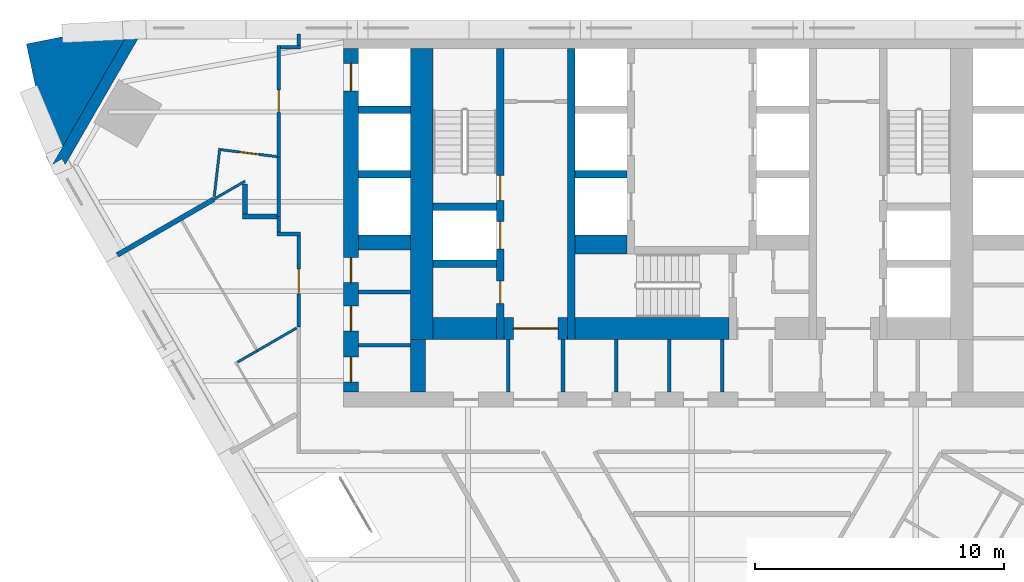
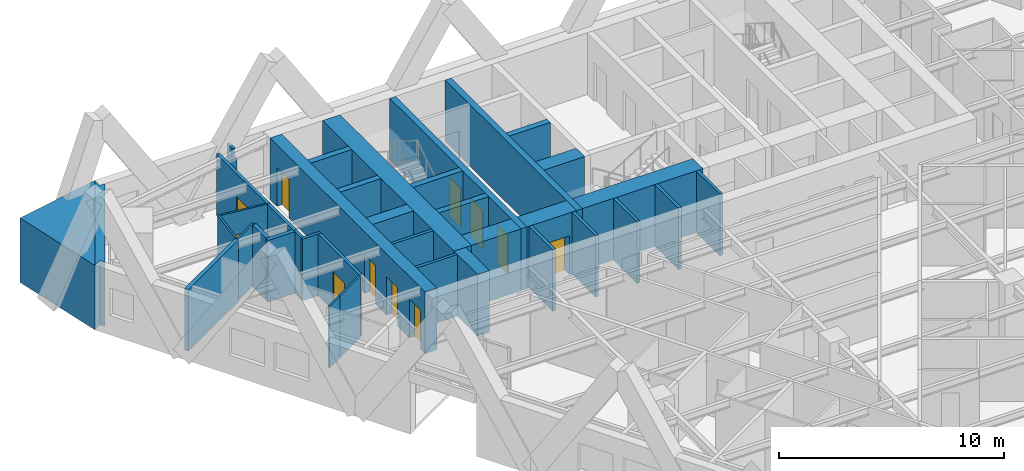
# One storey, part 7 of 12: 39 walls, 11 doors, 11 openings.
"""IFC4 building model written with IfcOpenShell, lengths in metres."""

from ifc_helpers import new_model, si_unit, direction, frame, frame_2d, origin, place, context, subcontext, project, spatial, polyline, rectangle, outline, extrude, material, layer, layer_set, type_object, element, fill, save


model = new_model("IFC4")

# Units and contexts
model_context = context("Model", 3, precision=1e-05, world=origin(), true_north=direction((0.0, 1.0)))
body_context = subcontext(model_context, "Body", "Model", "MODEL_VIEW")
ifc_project = project(units=[si_unit("LENGTHUNIT", "METRE"), si_unit("AREAUNIT", "SQUARE_METRE"), si_unit("VOLUMEUNIT", "CUBIC_METRE"), si_unit("PLANEANGLEUNIT", "RADIAN"), si_unit("MASSUNIT", "GRAM", prefix="KILO")], contexts=[model_context])

# Site, building, storey
site_placement = place(None, origin())
site = spatial("IfcSite", under=ifc_project, at=site_placement, CompositionType="ELEMENT")
building_placement = place(site_placement, origin())
building = spatial("IfcBuilding", under=site, at=building_placement, Name="Aloe Facet Convention Tower", CompositionType="ELEMENT")
storey_placement = place(building_placement, frame((0.0, 0.0, 56.0)))
storey = spatial("IfcBuildingStorey", under=building, at=storey_placement, Name="L12", CompositionType="ELEMENT", Elevation=56.0)

# Walls
ifc_material_1 = material(Name="Concrete blockwork partition", Category="masonry")
ifc_layer_1 = layer(ifc_material_1, 0.14990234375)
ifc_layer_set_1 = layer_set([ifc_layer_1], Name="CR-W-PART150")
wall_type_1 = type_object("IfcWallType", Name="CR-W-PART150", PredefinedType="PARTITIONING", material=ifc_layer_set_1)
for number, where, z_axis, x_axis, name in (
    (1, (66.60009765625, 124.16455078125, 0.0), (0.0, 0.0, 1.0), (1.0, 0.0, 0.0), "Core partition L12-007"),
    (2, (66.60009765625, 122.02490234375, 0.0), (0.0, 0.0, 1.0), (1.0, 0.0, 0.0), "Core partition L12-008"),
):
    element("IfcWall", number, at=place(storey_placement, frame(where, z_axis=z_axis, x_axis=x_axis)), inside=storey, type_object=wall_type_1, Name=name, PredefinedType="PARTITIONING", context=body_context, shape_type="SweptSolid", body=[
        extrude(rectangle(XDim=2.099853515625, YDim=0.14990234375, at=frame_2d((1.0498046875, 0.0))), origin(), (0.0, 0.0, 1.0), 3.35009765625),
    ])
for number, where, z_axis, x_axis, name in (
    (3, (72.625, 122.25, 0.0), (0.0, 0.0, 1.0), (0.0, -1.0, 0.0), "Core partition L12-017"),
    (4, (74.824951171875, 122.25, 0.0), (0.0, 0.0, 1.0), (0.0, -1.0, 0.0), "Core partition L12-018"),
    (5, (76.958251953125, 122.25, 0.0), (0.0, 0.0, 1.0), (0.0, -1.0, 0.0), "Core partition L12-024"),
    (6, (79.091552734375, 122.25, 0.0), (0.0, 0.0, 1.0), (0.0, -1.0, 0.0), "Core partition L12-027"),
    (7, (81.22509765625, 122.25, 0.0), (0.0, 0.0, 1.0), (0.0, -1.0, 0.0), "Core partition L12-028"),
):
    element("IfcWall", number, at=place(storey_placement, frame(where, z_axis=z_axis, x_axis=x_axis)), inside=storey, type_object=wall_type_1, Name=name, PredefinedType="PARTITIONING", context=body_context, shape_type="SweptSolid", body=[
        extrude(rectangle(XDim=2.10009765625, YDim=0.14990234375, at=frame_2d((1.050048828125, 0.0))), origin(), (0.0, 0.0, 1.0), 3.35009765625),
    ])
ifc_material_2 = material(Name="Concrete C80/95", Category="concrete")
ifc_layer_2 = layer(ifc_material_2, 0.300048828125)
ifc_layer_set_2 = layer_set([ifc_layer_2], Name="CR-W-RC300-C8095")
wall_type_2 = type_object("IfcWallType", Name="CR-W-RC300-C8095", PredefinedType="SOLIDWALL", material=ifc_layer_set_2)
for number, where, z_axis, x_axis, name in (
    (8, (66.60009765625, 131.5, 0.0), (0.0, 0.0, 1.0), (1.0, 0.0, 0.0), "Core wall L12-004"),
    (9, (66.60009765625, 128.89990234375, 0.0), (0.0, 0.0, 1.0), (1.0, 0.0, 0.0), "Core wall L12-005"),
):
    element("IfcWall", number, at=place(storey_placement, frame(where, z_axis=z_axis, x_axis=x_axis)), inside=storey, type_object=wall_type_2, Name=name, PredefinedType="SOLIDWALL", context=body_context, shape_type="SweptSolid", body=[
        extrude(rectangle(XDim=2.099853515625, YDim=0.300048828125, at=frame_2d((1.0498046875, 0.0))), origin(), (0.0, 0.0, 1.0), 3.35009765625),
    ])
for number, where, z_axis, x_axis, name in (
    (10, (69.60009765625, 127.60009765625, 0.0), (0.0, 0.0, 1.0), (1.0, 0.0, 0.0), "Core wall L12-011"),
    (11, (69.60009765625, 125.300048828125, 0.0), (0.0, 0.0, 1.0), (1.0, 0.0, 0.0), "Core wall L12-012"),
):
    element("IfcWall", number, at=place(storey_placement, frame(where, z_axis=z_axis, x_axis=x_axis)), inside=storey, type_object=wall_type_2, Name=name, PredefinedType="SOLIDWALL", context=body_context, shape_type="SweptSolid", body=[
        extrude(rectangle(XDim=2.5498046875, YDim=0.300048828125, at=frame_2d((1.27490234375, 0.0))), origin(), (0.0, 0.0, 1.0), 3.35009765625),
    ])

# Wall, openings, doors
wall_1_placement = place(storey_placement, frame((72.300048828125, 133.949951171875, 0.0), z_axis=(0.0, 0.0, 1.0), x_axis=(0.0, -1.0, 0.0)))
wall_1 = element("IfcWall", 12, at=wall_1_placement, inside=storey, type_object=wall_type_2, Name="Core wall L12-014", PredefinedType="SOLIDWALL", context=body_context, shape_type="SweptSolid", body=[
    extrude(rectangle(XDim=11.699951171875, YDim=0.300048828125, at=frame_2d((5.85009765625, 0.0))), origin(), (0.0, 0.0, 1.0), 3.35009765625),
])
opening_1_placement = place(wall_1_placement, frame((6.949951171875, 0.0, 0.0)))
opening_1 = element("IfcOpeningElement", 13, at=opening_1_placement, cuts=wall_1, Name="Opening LD-FF1-L12", PredefinedType="OPENING", context=body_context, shape_type="SweptSolid", body=[
    extrude(rectangle(XDim=1.10009765625, YDim=2.10009765625, at=frame_2d((0.550048828125, 1.050048828125))), frame((0.0, 0.16015625, 0.0), z_axis=(0.0, -1.0, 0.0), x_axis=(1.0, 0.0, 0.0)), (0.0, 0.0, 1.0), 0.320068359375),
])
opening_2_placement = place(wall_1_placement, frame((9.35009765625, 0.0, 0.0)))
opening_2 = element("IfcOpeningElement", 14, at=opening_2_placement, cuts=wall_1, Name="Opening L12-CD23", PredefinedType="OPENING", context=body_context, shape_type="SweptSolid", body=[
    extrude(rectangle(XDim=0.89990234375, YDim=2.10009765625, at=frame_2d((0.449951171875, 1.050048828125))), frame((0.0, 0.16015625, 0.0), z_axis=(0.0, -1.0, 0.0), x_axis=(1.0, 0.0, 0.0)), (0.0, 0.0, 1.0), 0.320068359375),
])
opening_3_placement = place(wall_1_placement, frame((5.10009765625, 0.0, 0.0)))
opening_3 = element("IfcOpeningElement", 15, at=opening_3_placement, cuts=wall_1, Name="Opening L12-CD31", PredefinedType="OPENING", context=body_context, shape_type="SweptSolid", body=[
    extrude(rectangle(XDim=1.0, YDim=2.10009765625, at=frame_2d((0.5, 1.050048828125))), frame((0.0, 0.16015625, 0.0), z_axis=(0.0, -1.0, 0.0), x_axis=(1.0, 0.0, 0.0)), (0.0, 0.0, 1.0), 0.320068359375),
])
ifc_material_3 = material(Name="Steel fire-resisting door set FD60", Category="steel")
door_type_1 = type_object("IfcDoorType", Name="CR-D-ROOM-900-FD60-SLEFT", OperationType="SINGLE_SWING_LEFT", PredefinedType="DOOR", material=ifc_material_3)
door_1_placement = place(opening_2_placement, origin())
door_1 = element("IfcDoor", 16, at=door_1_placement, inside=storey, type_object=door_type_1, Name="Core door L12-CD23", OperationType="SINGLE_SWING_LEFT", OverallHeight=2.10009765625, OverallWidth=0.89990234375, PredefinedType="DOOR", context=body_context, shape_type="SweptSolid", body=[
    extrude(rectangle(XDim=0.89990234375, YDim=2.10009765625, at=frame_2d((0.449951171875, 1.050048828125))), frame((0.0, 0.02490234375, 0.0), z_axis=(0.0, -1.0, 0.0), x_axis=(1.0, 0.0, 0.0)), (0.0, 0.0, 1.0), 0.050048828125),
])
fill(opening_2, door_1)
ifc_material_4 = material(Name="Steel fire-resisting door set FD120", Category="steel")
door_type_2 = type_object("IfcDoorType", Name="CR-D-STAIR-1000-FD120-SRIGHT", OperationType="SINGLE_SWING_RIGHT", PredefinedType="DOOR", material=ifc_material_4)
door_2_placement = place(opening_3_placement, origin())
door_2 = element("IfcDoor", 17, at=door_2_placement, inside=storey, type_object=door_type_2, Name="Core door L12-CD31", OperationType="SINGLE_SWING_RIGHT", OverallHeight=2.10009765625, OverallWidth=1.0, PredefinedType="DOOR", context=body_context, shape_type="SweptSolid", body=[
    extrude(rectangle(XDim=1.0, YDim=2.10009765625, at=frame_2d((0.5, 1.050048828125))), frame((0.0, 0.02490234375, 0.0), z_axis=(0.0, -1.0, 0.0), x_axis=(1.0, 0.0, 0.0)), (0.0, 0.0, 1.0), 0.050048828125),
])
fill(opening_3, door_2)
ifc_material_5 = material(Name="Stainless steel sliding landing door", Category="steel")
door_type_3 = type_object("IfcDoorType", Name="CR-LD-1100-FD120-_LEFT", OperationType="SLIDING_TO_LEFT", PredefinedType="DOOR", material=ifc_material_5)
door_3_placement = place(opening_1_placement, origin())
door_3 = element("IfcDoor", 18, at=door_3_placement, inside=storey, type_object=door_type_3, Name="Landing door FF1 L12", OperationType="SLIDING_TO_LEFT", OverallHeight=2.10009765625, OverallWidth=1.10009765625, PredefinedType="DOOR", context=body_context, shape_type="SweptSolid", body=[
    extrude(rectangle(XDim=1.10009765625, YDim=2.10009765625, at=frame_2d((0.550048828125, 1.050048828125))), frame((0.0, 0.02490234375, 0.0), z_axis=(0.0, -1.0, 0.0), x_axis=(1.0, 0.0, 0.0)), (0.0, 0.0, 1.0), 0.050048828125),
])
fill(opening_1, door_3)

# Walls
wall_2_placement = place(storey_placement, frame((75.14990234375, 133.949951171875, 0.0), z_axis=(0.0, 0.0, 1.0), x_axis=(0.0, -1.0, 0.0)))
element("IfcWall", 19, at=wall_2_placement, inside=storey, type_object=wall_type_2, Name="Core wall L12-019", PredefinedType="SOLIDWALL", context=body_context, shape_type="SweptSolid", body=[
    extrude(rectangle(XDim=11.699951171875, YDim=0.300048828125, at=frame_2d((5.85009765625, 0.0))), origin(), (0.0, 0.0, 1.0), 3.35009765625),
])
wall_3_placement = place(storey_placement, frame((75.300048828125, 128.89990234375, 0.0), z_axis=(0.0, 0.0, 1.0), x_axis=(1.0, 0.0, 0.0)))
element("IfcWall", 20, at=wall_3_placement, inside=storey, type_object=wall_type_2, Name="Core wall L12-021", PredefinedType="SOLIDWALL", context=body_context, shape_type="SweptSolid", body=[
    extrude(rectangle(XDim=2.099853515625, YDim=0.300048828125, at=frame_2d((1.0498046875, 0.0))), origin(), (0.0, 0.0, 1.0), 3.35009765625),
])

# Wall, openings, doors
ifc_material_6 = material(Name="Concrete C80/95", Category="concrete")
ifc_layer_3 = layer(ifc_material_6, 0.60009765625)
ifc_layer_set_3 = layer_set([ifc_layer_3], Name="CR-W-RC600-C8095")
wall_type_3 = type_object("IfcWallType", Name="CR-W-RC600-C8095", PredefinedType="SOLIDWALL", material=ifc_layer_set_3)
wall_4_placement = place(storey_placement, frame((66.300048828125, 133.949951171875, 0.0), z_axis=(0.0, 0.0, 1.0), x_axis=(0.0, -1.0, 0.0)))
wall_4 = element("IfcWall", 21, at=wall_4_placement, inside=storey, type_object=wall_type_3, Name="Core wall L12-002", PredefinedType="SOLIDWALL", context=body_context, shape_type="SweptSolid", body=[
    extrude(rectangle(XDim=13.800048828125, YDim=0.60009765625, at=frame_2d((6.89990234375, 0.0))), origin(), (0.0, 0.0, 1.0), 3.35009765625),
])
opening_4_placement = place(wall_4_placement, frame((0.60009765625, 0.0, 0.0)))
opening_4 = element("IfcOpeningElement", 22, at=opening_4_placement, cuts=wall_4, Name="Opening LD-A7-L12", PredefinedType="OPENING", context=body_context, shape_type="SweptSolid", body=[
    extrude(rectangle(XDim=1.10009765625, YDim=2.10009765625, at=frame_2d((0.550048828125, 1.050048828125))), frame((0.0, 0.31005859375, 0.0), z_axis=(0.0, -1.0, 0.0), x_axis=(1.0, 0.0, 0.0)), (0.0, 0.0, 1.0), 0.6201171875),
])
opening_5_placement = place(wall_4_placement, frame((8.4052734375, 0.0, 0.0)))
opening_5 = element("IfcOpeningElement", 23, at=opening_5_placement, cuts=wall_4, Name="Opening L12-CD35", PredefinedType="OPENING", context=body_context, shape_type="SweptSolid", body=[
    extrude(rectangle(XDim=1.0, YDim=2.10009765625, at=frame_2d((0.5, 1.050048828125))), frame((0.0, 0.31005859375, 0.0), z_axis=(0.0, -1.0, 0.0), x_axis=(1.0, 0.0, 0.0)), (0.0, 0.0, 1.0), 0.6201171875),
])
opening_6_placement = place(wall_4_placement, frame((10.355224609375, 0.0, 0.0)))
opening_6 = element("IfcOpeningElement", 24, at=opening_6_placement, cuts=wall_4, Name="Opening L12-CD36", PredefinedType="OPENING", context=body_context, shape_type="SweptSolid", body=[
    extrude(rectangle(XDim=1.0, YDim=2.10009765625, at=frame_2d((0.5, 1.050048828125))), frame((0.0, 0.31005859375, 0.0), z_axis=(0.0, -1.0, 0.0), x_axis=(1.0, 0.0, 0.0)), (0.0, 0.0, 1.0), 0.6201171875),
])
opening_7_placement = place(wall_4_placement, frame((12.39990234375, 0.0, 0.0)))
opening_7 = element("IfcOpeningElement", 25, at=opening_7_placement, cuts=wall_4, Name="Opening L12-CD37", PredefinedType="OPENING", context=body_context, shape_type="SweptSolid", body=[
    extrude(rectangle(XDim=1.0, YDim=2.10009765625, at=frame_2d((0.5, 1.050048828125))), frame((0.0, 0.31005859375, 0.0), z_axis=(0.0, -1.0, 0.0), x_axis=(1.0, 0.0, 0.0)), (0.0, 0.0, 1.0), 0.6201171875),
])
ifc_material_7 = material(Name="Steel fire-resisting door set FD60", Category="steel")
door_type_4 = type_object("IfcDoorType", Name="CR-D-ROOM-1000-FD60-SLEFT", OperationType="SINGLE_SWING_LEFT", PredefinedType="DOOR", material=ifc_material_7)
door_4_placement = place(opening_5_placement, origin())
door_4 = element("IfcDoor", 26, at=door_4_placement, inside=storey, type_object=door_type_4, Name="Core door L12-CD35", OperationType="SINGLE_SWING_LEFT", OverallHeight=2.10009765625, OverallWidth=1.0, PredefinedType="DOOR", context=body_context, shape_type="SweptSolid", body=[
    extrude(rectangle(XDim=1.0, YDim=2.10009765625, at=frame_2d((0.5, 1.050048828125))), frame((0.0, 0.02490234375, 0.0), z_axis=(0.0, -1.0, 0.0), x_axis=(1.0, 0.0, 0.0)), (0.0, 0.0, 1.0), 0.050048828125),
])
fill(opening_5, door_4)
door_5_placement = place(opening_6_placement, origin())
door_5 = element("IfcDoor", 27, at=door_5_placement, inside=storey, type_object=door_type_4, Name="Core door L12-CD36", OperationType="SINGLE_SWING_LEFT", OverallHeight=2.10009765625, OverallWidth=1.0, PredefinedType="DOOR", context=body_context, shape_type="SweptSolid", body=[
    extrude(rectangle(XDim=1.0, YDim=2.10009765625, at=frame_2d((0.5, 1.050048828125))), frame((0.0, 0.02490234375, 0.0), z_axis=(0.0, -1.0, 0.0), x_axis=(1.0, 0.0, 0.0)), (0.0, 0.0, 1.0), 0.050048828125),
])
fill(opening_6, door_5)
door_6_placement = place(opening_7_placement, origin())
door_6 = element("IfcDoor", 28, at=door_6_placement, inside=storey, type_object=door_type_4, Name="Core door L12-CD37", OperationType="SINGLE_SWING_LEFT", OverallHeight=2.10009765625, OverallWidth=1.0, PredefinedType="DOOR", context=body_context, shape_type="SweptSolid", body=[
    extrude(rectangle(XDim=1.0, YDim=2.10009765625, at=frame_2d((0.5, 1.050048828125))), frame((0.0, 0.02490234375, 0.0), z_axis=(0.0, -1.0, 0.0), x_axis=(1.0, 0.0, 0.0)), (0.0, 0.0, 1.0), 0.050048828125),
])
fill(opening_7, door_6)
ifc_material_8 = material(Name="Stainless steel sliding landing door", Category="steel")
door_type_5 = type_object("IfcDoorType", Name="CR-LD-1100-FD60-_LEFT", OperationType="SLIDING_TO_LEFT", PredefinedType="DOOR", material=ifc_material_8)
door_7_placement = place(opening_4_placement, origin())
door_7 = element("IfcDoor", 29, at=door_7_placement, inside=storey, type_object=door_type_5, Name="Landing door A7 L12", OperationType="SLIDING_TO_LEFT", OverallHeight=2.10009765625, OverallWidth=1.10009765625, PredefinedType="DOOR", context=body_context, shape_type="SweptSolid", body=[
    extrude(rectangle(XDim=1.10009765625, YDim=2.10009765625, at=frame_2d((0.550048828125, 1.050048828125))), frame((0.0, 0.02490234375, 0.0), z_axis=(0.0, -1.0, 0.0), x_axis=(1.0, 0.0, 0.0)), (0.0, 0.0, 1.0), 0.050048828125),
])
fill(opening_4, door_7)

# Walls
wall_5_placement = place(storey_placement, frame((66.60009765625, 126.14990234375, 0.0), z_axis=(0.0, 0.0, 1.0), x_axis=(1.0, 0.0, 0.0)))
element("IfcWall", 30, at=wall_5_placement, inside=storey, type_object=wall_type_3, Name="Core wall L12-006", PredefinedType="SOLIDWALL", context=body_context, shape_type="SweptSolid", body=[
    extrude(rectangle(XDim=2.099853515625, YDim=0.60009765625, at=frame_2d((1.0498046875, 0.0))), origin(), (0.0, 0.0, 1.0), 3.35009765625),
])
wall_6_placement = place(storey_placement, frame((69.0, 122.25, 0.0), z_axis=(0.0, 0.0, 1.0), x_axis=(0.0, -1.0, 0.0)))
element("IfcWall", 31, at=wall_6_placement, inside=storey, type_object=wall_type_3, Name="Core wall L12-010", PredefinedType="SOLIDWALL", context=body_context, shape_type="SweptSolid", body=[
    extrude(rectangle(XDim=2.10009765625, YDim=0.60009765625, at=frame_2d((1.050048828125, 0.0))), origin(), (0.0, 0.0, 1.0), 3.35009765625),
])
ifc_material_9 = material(Name="Concrete C80/95", Category="concrete")
ifc_layer_4 = layer(ifc_material_9, 0.75)
ifc_layer_set_4 = layer_set([ifc_layer_4], Name="CR-W-RC750-C8095")
wall_type_4 = type_object("IfcWallType", Name="CR-W-RC750-C8095", PredefinedType="SOLIDWALL", material=ifc_layer_set_4)
wall_7_placement = place(storey_placement, frame((75.300048828125, 126.074951171875, 0.0), z_axis=(0.0, 0.0, 1.0), x_axis=(1.0, 0.0, 0.0)))
element("IfcWall", 32, at=wall_7_placement, inside=storey, type_object=wall_type_4, Name="Core wall L12-022", PredefinedType="SOLIDWALL", context=body_context, shape_type="SweptSolid", body=[
    extrude(rectangle(XDim=2.099853515625, YDim=0.75, at=frame_2d((1.0498046875, 0.0))), origin(), (0.0, 0.0, 1.0), 3.35009765625),
])
ifc_material_10 = material(Name="Concrete C80/95", Category="concrete")
ifc_layer_5 = layer(ifc_material_10, 0.89990234375)
ifc_layer_set_5 = layer_set([ifc_layer_5], Name="CR-W-RC900-C8095")
wall_type_5 = type_object("IfcWallType", Name="CR-W-RC900-C8095", PredefinedType="SOLIDWALL", material=ifc_layer_set_5)
wall_8_placement = place(storey_placement, frame((69.14990234375, 133.949951171875, 0.0), z_axis=(0.0, 0.0, 1.0), x_axis=(0.0, -1.0, 0.0)))
element("IfcWall", 33, at=wall_8_placement, inside=storey, type_object=wall_type_5, Name="Core wall L12-009", PredefinedType="SOLIDWALL", context=body_context, shape_type="SweptSolid", body=[
    extrude(rectangle(XDim=11.699951171875, YDim=0.89990234375, at=frame_2d((5.85009765625, 0.0))), origin(), (0.0, 0.0, 1.0), 3.35009765625),
])
wall_9_placement = place(storey_placement, frame((69.60009765625, 122.699951171875, 0.0), z_axis=(0.0, 0.0, 1.0), x_axis=(1.0, 0.0, 0.0)))
element("IfcWall", 34, at=wall_9_placement, inside=storey, type_object=wall_type_5, Name="Core wall L12-013", PredefinedType="SOLIDWALL", context=body_context, shape_type="SweptSolid", body=[
    extrude(rectangle(XDim=2.5498046875, YDim=0.89990234375, at=frame_2d((1.27490234375, 0.0))), origin(), (0.0, 0.0, 1.0), 3.35009765625),
])

# Wall, opening, door
wall_10_placement = place(storey_placement, frame((72.449951171875, 122.699951171875, 0.0), z_axis=(0.0, 0.0, 1.0), x_axis=(1.0, 0.0, 0.0)))
wall_10 = element("IfcWall", 35, at=wall_10_placement, inside=storey, type_object=wall_type_5, Name="Core wall L12-016", PredefinedType="SOLIDWALL", context=body_context, shape_type="SweptSolid", body=[
    extrude(rectangle(XDim=2.550048828125, YDim=0.89990234375, at=frame_2d((1.27490234375, 0.0))), origin(), (0.0, 0.0, 1.0), 3.35009765625),
])
opening_8_placement = place(wall_10_placement, frame((0.375, 0.0, 0.0)))
opening_8 = element("IfcOpeningElement", 36, at=opening_8_placement, cuts=wall_10, Name="Opening L12-CD15", PredefinedType="OPENING", context=body_context, shape_type="SweptSolid", body=[
    extrude(rectangle(XDim=1.800048828125, YDim=2.10009765625, at=frame_2d((0.89990234375, 1.050048828125))), frame((0.0, 0.4599609375, 0.0), z_axis=(0.0, -1.0, 0.0), x_axis=(1.0, 0.0, 0.0)), (0.0, 0.0, 1.0), 0.919921875),
])
ifc_material_11 = material(Name="Steel fire-resisting door set FD120", Category="steel")
door_type_6 = type_object("IfcDoorType", Name="CR-D-EXIT-1800-FD120-DD", OperationType="DOUBLE_DOOR_DOUBLE_SWING", PredefinedType="DOOR", material=ifc_material_11)
door_8_placement = place(opening_8_placement, origin())
door_8 = element("IfcDoor", 37, at=door_8_placement, inside=storey, type_object=door_type_6, Name="Core door L12-CD15", OperationType="DOUBLE_DOOR_DOUBLE_SWING", OverallHeight=2.10009765625, OverallWidth=1.800048828125, PredefinedType="DOOR", context=body_context, shape_type="SweptSolid", body=[
    extrude(rectangle(XDim=1.800048828125, YDim=2.10009765625, at=frame_2d((0.89990234375, 1.050048828125))), frame((0.0, 0.02490234375, 0.0), z_axis=(0.0, -1.0, 0.0), x_axis=(1.0, 0.0, 0.0)), (0.0, 0.0, 1.0), 0.050048828125),
])
fill(opening_8, door_8)

# Walls
wall_11_placement = place(storey_placement, frame((75.300048828125, 122.699951171875, 0.0), z_axis=(0.0, 0.0, 1.0), x_axis=(1.0, 0.0, 0.0)))
element("IfcWall", 38, at=wall_11_placement, inside=storey, type_object=wall_type_5, Name="Core wall L12-023", PredefinedType="SOLIDWALL", context=body_context, shape_type="SweptSolid", body=[
    extrude(rectangle(XDim=6.199951171875, YDim=0.89990234375, at=frame_2d((3.10009765625, 0.0))), origin(), (0.0, 0.0, 1.0), 3.35009765625),
])
ifc_material_12 = material(Name="Precast concrete C40/50", Category="concrete")
ifc_layer_6 = layer(ifc_material_12, 0.449951171875)
ifc_layer_set_6 = layer_set([ifc_layer_6], Name="EV-WALL-PIER")
wall_type_6 = type_object("IfcWallType", Name="EV-WALL-PIER", PredefinedType="SOLIDWALL", material=ifc_layer_set_6)
wall_12_placement = place(storey_placement, frame((0.0, 0.0, -0.14990234375)))
element("IfcWall", 39, at=wall_12_placement, inside=storey, type_object=wall_type_6, Name="EP-L12-A", PredefinedType="SOLIDWALL", context=body_context, shape_type="SweptSolid", body=[
    extrude(outline(polyline([(57.60009765625, 135.0), (57.60009765625, 134.550048828125), (57.85986328125, 134.550048828125), (54.819580078125, 129.2841796875), (54.689697265625, 129.50927734375), (54.300048828125, 129.2841796875), (57.60009765625, 135.0)])), origin(), (0.0, 0.0, 1.0), 3.5),
])
ifc_material_13 = material(Name="Precast concrete C40/50", Category="concrete")
ifc_layer_7 = layer(ifc_material_13, 3.947998046875)
ifc_layer_set_7 = layer_set([ifc_layer_7], Name="EV-WALL-SPINE")
wall_type_7 = type_object("IfcWallType", Name="EV-WALL-SPINE", PredefinedType="SOLIDWALL", material=ifc_layer_set_7)
wall_13_placement = place(storey_placement, frame((0.0, 0.0, -0.14990234375)))
element("IfcWall", 40, at=wall_13_placement, inside=storey, type_object=wall_type_7, Name="SP-NW-L12", PredefinedType="SOLIDWALL", context=body_context, shape_type="SweptSolid", body=[
    extrude(outline(polyline([(57.60009765625, 135.0), (53.255859375, 134.133544921875), (54.300048828125, 129.2841796875), (57.60009765625, 135.0)])), origin(), (0.0, 0.0, 1.0), 3.5),
])
ifc_material_14 = material(Name="Gypsum board partition on steel studs", Category="steel")
ifc_layer_8 = layer(ifc_material_14, 0.14990234375)
ifc_layer_set_8 = layer_set([ifc_layer_8], Name="IN-W-CORR")
wall_type_8 = type_object("IfcWallType", Name="IN-W-CORR", PredefinedType="PARTITIONING", material=ifc_layer_set_8)
wall_14_placement = place(storey_placement, frame((63.324951171875, 126.5, 0.0), z_axis=(0.0, 0.0, 1.0), x_axis=(1.0, 0.0, 0.0)))
element("IfcWall", 41, at=wall_14_placement, inside=storey, type_object=wall_type_8, Name="Partition L12-W095", PredefinedType="PARTITIONING", context=body_context, shape_type="SweptSolid", body=[
    extrude(rectangle(XDim=0.949951171875, YDim=0.14990234375, at=frame_2d((0.47509765625, 0.0))), origin(), (0.0, 0.0, 1.0), 3.35009765625),
])

# Wall, opening, door
wall_15_placement = place(storey_placement, frame((64.199951171875, 122.767333984375, 0.0), z_axis=(0.0, 0.0, 1.0), x_axis=(0.0, 1.0, 0.0)))
wall_15 = element("IfcWall", 42, at=wall_15_placement, inside=storey, type_object=wall_type_8, Name="Partition L12-W096", PredefinedType="PARTITIONING", context=body_context, shape_type="SweptSolid", body=[
    extrude(rectangle(XDim=3.65771484375, YDim=0.14990234375, at=frame_2d((1.828857421875, 0.0))), origin(), (0.0, 0.0, 1.0), 3.35009765625),
])
opening_9_placement = place(wall_15_placement, frame((1.328857421875, 0.0, 0.0)))
opening_9 = element("IfcOpeningElement", 43, at=opening_9_placement, cuts=wall_15, Name="Opening L12-014", PredefinedType="OPENING", context=body_context, shape_type="SweptSolid", body=[
    extrude(rectangle(XDim=1.0, YDim=2.10009765625, at=frame_2d((0.5, 1.050048828125))), frame((0.0, 0.0849609375, 0.0), z_axis=(0.0, -1.0, 0.0), x_axis=(1.0, 0.0, 0.0)), (0.0, 0.0, 1.0), 0.169921875),
])
ifc_material_15 = material(Name="Hardwood flush door FD30S", Category="wood")
door_type_7 = type_object("IfcDoorType", Name="IN-D-WIDE", OperationType="SINGLE_SWING_LEFT", PredefinedType="DOOR", material=ifc_material_15)
door_9_placement = place(opening_9_placement, origin())
door_9 = element("IfcDoor", 44, at=door_9_placement, inside=storey, type_object=door_type_7, Name="Door L12-014", OperationType="SINGLE_SWING_LEFT", OverallHeight=2.10009765625, OverallWidth=1.0, PredefinedType="DOOR", context=body_context, shape_type="SweptSolid", body=[
    extrude(rectangle(XDim=1.0, YDim=2.10009765625, at=frame_2d((0.5, 1.050048828125))), frame((0.0, 0.02490234375, 0.0), z_axis=(0.0, -1.0, 0.0), x_axis=(1.0, 0.0, 0.0)), (0.0, 0.0, 1.0), 0.050048828125),
])
fill(opening_9, door_9)

# Wall
wall_16_placement = place(storey_placement, frame((63.39990234375, 126.574951171875, 0.0), z_axis=(0.0, 0.0, 1.0), x_axis=(0.0, 1.0, 0.0)))
element("IfcWall", 45, at=wall_16_placement, inside=storey, type_object=wall_type_8, Name="Partition L12-W102", PredefinedType="PARTITIONING", context=body_context, shape_type="SweptSolid", body=[
    extrude(rectangle(XDim=0.625, YDim=0.14990234375, at=frame_2d((0.3125, 0.0))), origin(), (0.0, 0.0, 1.0), 3.35009765625),
])

# Wall, opening, door
wall_17_placement = place(storey_placement, frame((63.39990234375, 129.597412109375, 0.0), z_axis=(0.0, 0.0, 1.0), x_axis=(0.0, 1.0, 0.0)))
wall_17 = element("IfcWall", 46, at=wall_17_placement, inside=storey, type_object=wall_type_8, Name="Partition L12-W107", PredefinedType="PARTITIONING", context=body_context, shape_type="SweptSolid", body=[
    extrude(rectangle(XDim=4.47705078125, YDim=0.14990234375, at=frame_2d((2.238525390625, 0.0))), origin(), (0.0, 0.0, 1.0), 3.35009765625),
])
opening_10_placement = place(wall_17_placement, frame((1.78857421875, 0.0, 0.0)))
opening_10 = element("IfcOpeningElement", 47, at=opening_10_placement, cuts=wall_17, Name="Opening L12-002", PredefinedType="OPENING", context=body_context, shape_type="SweptSolid", body=[
    extrude(rectangle(XDim=0.89990234375, YDim=2.10009765625, at=frame_2d((0.449951171875, 1.050048828125))), frame((0.0, 0.0849609375, 0.0), z_axis=(0.0, -1.0, 0.0), x_axis=(1.0, 0.0, 0.0)), (0.0, 0.0, 1.0), 0.169921875),
])
ifc_material_16 = material(Name="Hardwood flush door FD30S", Category="wood")
door_type_8 = type_object("IfcDoorType", Name="IN-D-GUEST", OperationType="SINGLE_SWING_LEFT", PredefinedType="DOOR", material=ifc_material_16)
door_10_placement = place(opening_10_placement, origin())
door_10 = element("IfcDoor", 48, at=door_10_placement, inside=storey, type_object=door_type_8, Name="Door L12-002", OperationType="SINGLE_SWING_LEFT", OverallHeight=2.10009765625, OverallWidth=0.89990234375, PredefinedType="DOOR", context=body_context, shape_type="SweptSolid", body=[
    extrude(rectangle(XDim=0.89990234375, YDim=2.10009765625, at=frame_2d((0.449951171875, 1.050048828125))), frame((0.0, 0.02490234375, 0.0), z_axis=(0.0, -1.0, 0.0), x_axis=(1.0, 0.0, 0.0)), (0.0, 0.0, 1.0), 0.050048828125),
])
fill(opening_10, door_10)

# Walls
wall_18_placement = place(storey_placement, frame((63.39990234375, 127.199951171875, 0.0), z_axis=(0.0, 0.0, 1.0), x_axis=(0.0, 1.0, 0.0)))
element("IfcWall", 49, at=wall_18_placement, inside=storey, type_object=wall_type_8, Name="Partition L12-W108", PredefinedType="PARTITIONING", context=body_context, shape_type="SweptSolid", body=[
    extrude(rectangle(XDim=2.3974609375, YDim=0.14990234375, at=frame_2d((1.19873046875, 0.0))), origin(), (0.0, 0.0, 1.0), 3.35009765625),
])
wall_19_placement = place(storey_placement, frame((63.47509765625, 133.99951171875, 0.0), z_axis=(0.0, 0.0, 1.0), x_axis=(0.999999813645, 0.000610500497, 0.0)))
element("IfcWall", 50, at=wall_19_placement, inside=storey, type_object=wall_type_8, Name="Partition L12-W110", PredefinedType="PARTITIONING", context=body_context, shape_type="SweptSolid", body=[
    extrude(rectangle(XDim=0.7998046875, YDim=0.14990234375, at=frame_2d((0.39990234375, 0.0))), origin(), (0.0, 0.0, 1.0), 2.88671875),
])
wall_20_placement = place(storey_placement, frame((64.199951171875, 134.074951171875, 0.0), z_axis=(0.0, 0.0, 1.0), x_axis=(0.0, 1.0, 0.0)))
element("IfcWall", 51, at=wall_20_placement, inside=storey, type_object=wall_type_8, Name="Partition L12-W111", PredefinedType="PARTITIONING", context=body_context, shape_type="SweptSolid", body=[
    extrude(rectangle(XDim=0.465087890625, YDim=0.14990234375, at=frame_2d((0.232421875, 0.0))), origin(), (0.0, 0.0, 1.0), 3.35009765625),
])
ifc_material_17 = material(Name="Gypsum board partition on steel studs", Category="steel")
ifc_layer_9 = layer(ifc_material_17, 0.10009765625)
ifc_layer_set_9 = layer_set([ifc_layer_9], Name="IN-W-PART")
wall_type_9 = type_object("IfcWallType", Name="IN-W-PART", PredefinedType="PARTITIONING", material=ifc_layer_set_9)
wall_21_placement = place(storey_placement, frame((61.740478515625, 121.347412109375, 0.0), z_axis=(0.0, 0.0, 1.0), x_axis=(0.866136792161, 0.499807020023, 0.0)))
element("IfcWall", 52, at=wall_21_placement, inside=storey, type_object=wall_type_9, Name="Partition L12-W079", PredefinedType="PARTITIONING", context=body_context, shape_type="SweptSolid", body=[
    extrude(rectangle(XDim=0.916259765625, YDim=0.10009765625, at=frame_2d((0.4580078125, 0.0))), origin(), (0.0, 0.0, 1.0), 3.35009765625),
])
wall_22_placement = place(storey_placement, frame((62.5341796875, 121.805419921875, 0.0), z_axis=(0.0, 0.0, 1.0), x_axis=(0.866007702746, 0.500030657845, 0.0)))
element("IfcWall", 53, at=wall_22_placement, inside=storey, type_object=wall_type_9, Name="Partition L12-W084", PredefinedType="PARTITIONING", context=body_context, shape_type="SweptSolid", body=[
    extrude(rectangle(XDim=1.82861328125, YDim=0.10009765625, at=frame_2d((0.914306640625, 0.0))), origin(), (0.0, 0.0, 1.0), 3.35009765625),
])
wall_23_placement = place(storey_placement, frame((60.795166015625, 127.89794921875, 0.0), z_axis=(0.0, 0.0, 1.0), x_axis=(0.866022596503, 0.500004862322, 0.0)))
element("IfcWall", 54, at=wall_23_placement, inside=storey, type_object=wall_type_9, Name="Partition L12-W100", PredefinedType="PARTITIONING", context=body_context, shape_type="SweptSolid", body=[
    extrude(rectangle(XDim=1.44677734375, YDim=0.10009765625, at=frame_2d((0.723388671875, 0.0))), origin(), (0.0, 0.0, 1.0), 3.35009765625),
])
wall_24_placement = place(storey_placement, frame((60.806396484375, 127.997314453125, 0.0), z_axis=(0.0, 0.0, 1.0), x_axis=(0.114018020477, 0.993478681707, 0.0)))
element("IfcWall", 55, at=wall_24_placement, inside=storey, type_object=wall_type_9, Name="Partition L12-W104", PredefinedType="PARTITIONING", context=body_context, shape_type="SweptSolid", body=[
    extrude(rectangle(XDim=1.95703125, YDim=0.10009765625, at=frame_2d((0.978515625, 0.0))), origin(), (0.0, 0.0, 1.0), 3.35009765625),
])

# Wall, opening, door
wall_25_placement = place(storey_placement, frame((61.0732421875, 129.885986328125, 0.0), z_axis=(0.0, 0.0, 1.0), x_axis=(0.992399852351, -0.123055000118, 0.0)))
wall_25 = element("IfcWall", 56, at=wall_25_placement, inside=storey, type_object=wall_type_9, Name="Partition L12-W109", PredefinedType="PARTITIONING", context=body_context, shape_type="SweptSolid", body=[
    extrude(rectangle(XDim=2.269775390625, YDim=0.10009765625, at=frame_2d((1.134765625, 0.0))), origin(), (0.0, 0.0, 1.0), 3.35009765625),
])
opening_11_placement = place(wall_25_placement, frame((0.734619140625, 0.0, 0.0)))
opening_11 = element("IfcOpeningElement", 57, at=opening_11_placement, cuts=wall_25, Name="Opening L12-017", PredefinedType="OPENING", context=body_context, shape_type="SweptSolid", body=[
    extrude(rectangle(XDim=0.800048828125, YDim=2.10009765625, at=frame_2d((0.39990234375, 1.050048828125))), frame((0.0, 0.06005859375, 0.0), z_axis=(0.0, -1.0, 0.0), x_axis=(1.0, 0.0, 0.0)), (0.0, 0.0, 1.0), 0.1201171875),
])
ifc_material_18 = material(Name="Timber flush door", Category="wood")
door_type_9 = type_object("IfcDoorType", Name="IN-D-BATH", OperationType="SINGLE_SWING_LEFT", PredefinedType="DOOR", material=ifc_material_18)
door_11_placement = place(opening_11_placement, origin())
door_11 = element("IfcDoor", 58, at=door_11_placement, inside=storey, type_object=door_type_9, Name="Door L12-017", OperationType="SINGLE_SWING_LEFT", OverallHeight=2.10009765625, OverallWidth=0.800048828125, PredefinedType="DOOR", context=body_context, shape_type="SweptSolid", body=[
    extrude(rectangle(XDim=0.800048828125, YDim=2.10009765625, at=frame_2d((0.39990234375, 1.050048828125))), frame((0.0, 0.02490234375, 0.0), z_axis=(0.0, -1.0, 0.0), x_axis=(1.0, 0.0, 0.0)), (0.0, 0.0, 1.0), 0.050048828125),
])
fill(opening_11, door_11)

# Walls
ifc_material_19 = material(Name="Gypsum board partition on steel studs", Category="steel")
ifc_layer_10 = layer(ifc_material_19, 0.199951171875)
ifc_layer_set_10 = layer_set([ifc_layer_10], Name="IN-W-PARTY")
wall_type_10 = type_object("IfcWallType", Name="IN-W-PARTY", PredefinedType="PARTITIONING", material=ifc_layer_set_10)
wall_26_placement = place(storey_placement, frame((56.913818359375, 125.656982421875, 0.0), z_axis=(0.0, 0.0, 1.0), x_axis=(0.866018671298, 0.500011660828, 0.0)))
element("IfcWall", 59, at=wall_26_placement, inside=storey, type_object=wall_type_10, Name="Partition L12-W092", PredefinedType="PARTITIONING", context=body_context, shape_type="SweptSolid", body=[
    extrude(rectangle(XDim=4.48193359375, YDim=0.199951171875, at=frame_2d((2.240966796875, 0.0))), origin(), (0.0, 0.0, 1.0), 3.35009765625),
])
wall_27_placement = place(storey_placement, frame((61.947998046875, 127.199951171875, 0.0), z_axis=(0.0, 0.0, 1.0), x_axis=(1.0, 0.0, 0.0)))
element("IfcWall", 60, at=wall_27_placement, inside=storey, type_object=wall_type_10, Name="Partition L12-W101", PredefinedType="PARTITIONING", context=body_context, shape_type="SweptSolid", body=[
    extrude(rectangle(XDim=1.376953125, YDim=0.199951171875, at=frame_2d((0.6884765625, 0.0))), origin(), (0.0, 0.0, 1.0), 3.35009765625),
])
wall_28_placement = place(storey_placement, frame((62.048095703125, 127.300048828125, 0.0), z_axis=(0.0, 0.0, 1.0), x_axis=(0.0, 1.0, 0.0)))
element("IfcWall", 61, at=wall_28_placement, inside=storey, type_object=wall_type_10, Name="Partition L12-W106", PredefinedType="PARTITIONING", context=body_context, shape_type="SweptSolid", body=[
    extrude(rectangle(XDim=1.205810546875, YDim=0.199951171875, at=frame_2d((0.60302734375, 0.0))), origin(), (0.0, 0.0, 1.0), 3.35009765625),
])

save(model, "model.ifc")
